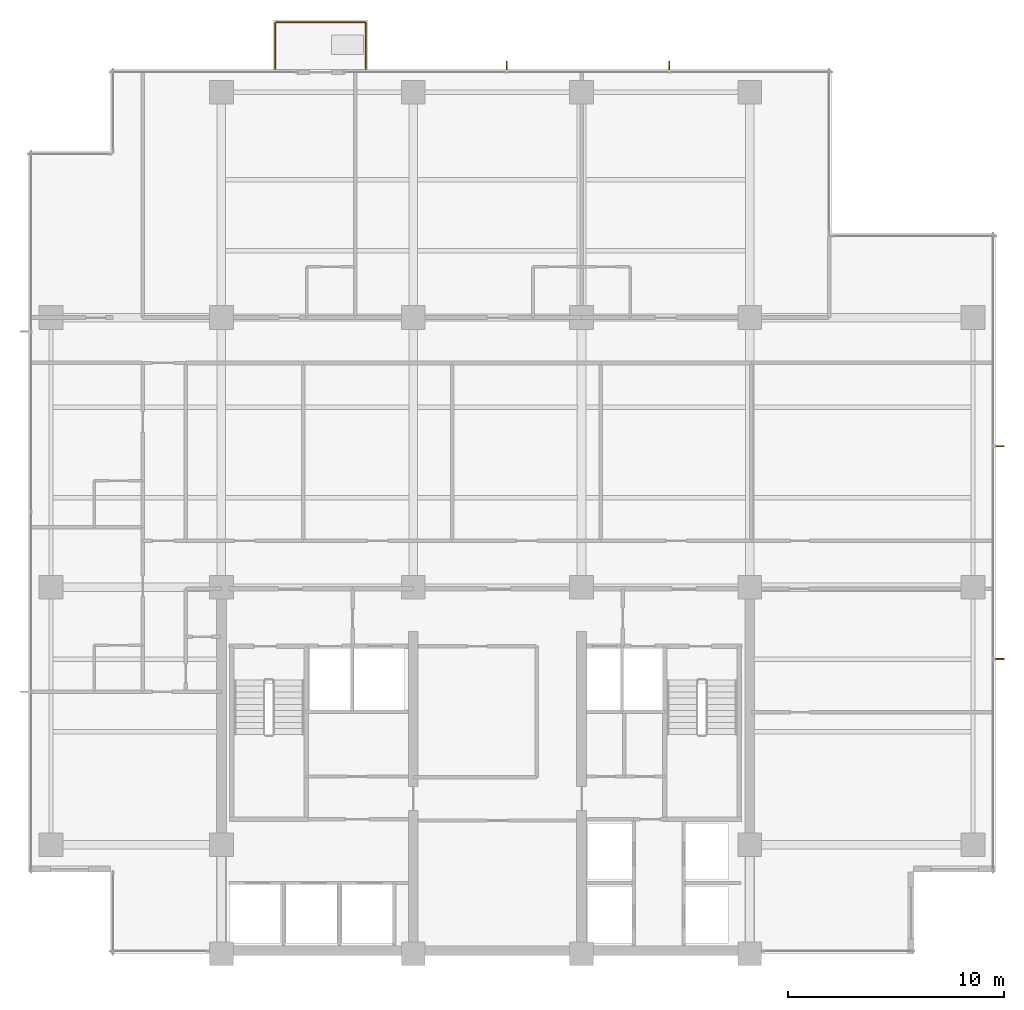
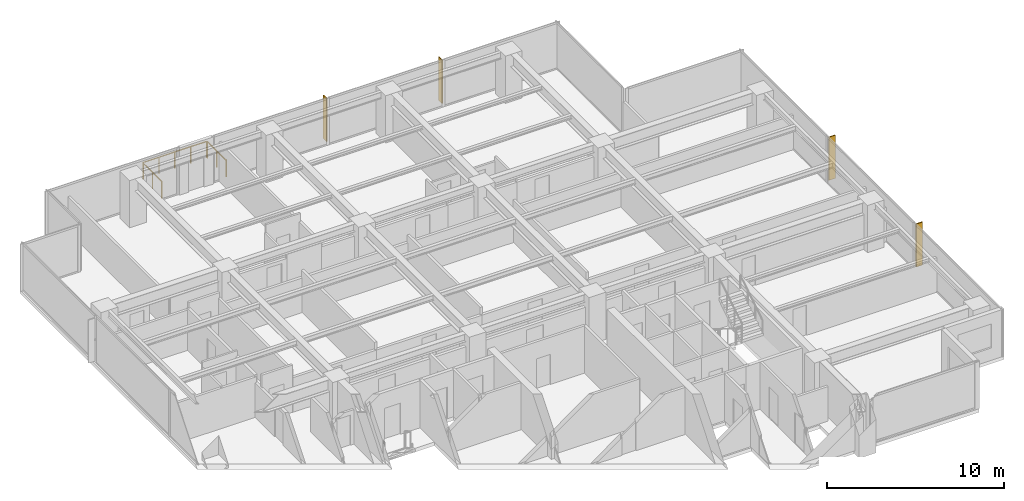
# One storey, part 14 of 14: 4 shading devices, 3 railings.
"""IFC4 building model written with IfcOpenShell, lengths in metres."""

from ifc_helpers import new_model, si_unit, direction, frame, origin, origin_2d, place, context, subcontext, project, spatial, polyline, circle, outline, extrude, material, layer, layer_set, type_object, element, save


model = new_model("IFC4")

# Units and contexts
model_context = context("Model", 3, precision=1e-05, world=origin(), true_north=direction((0.0, 1.0)))
body_context = subcontext(model_context, "Body", "Model", "MODEL_VIEW")
ifc_project = project(units=[si_unit("LENGTHUNIT", "METRE"), si_unit("AREAUNIT", "SQUARE_METRE"), si_unit("VOLUMEUNIT", "CUBIC_METRE"), si_unit("PLANEANGLEUNIT", "RADIAN"), si_unit("MASSUNIT", "GRAM", prefix="KILO")], contexts=[model_context])

# Site, building, storey
site_placement = place(None, origin())
site = spatial("IfcSite", under=ifc_project, at=site_placement, CompositionType="ELEMENT")
building_placement = place(site_placement, origin())
building = spatial("IfcBuilding", under=site, at=building_placement, Name="Qalmaran Belvedere Hotel", CompositionType="ELEMENT")
storey_placement = place(building_placement, frame((0.0, 0.0, 166.60009765625)))
storey = spatial("IfcBuildingStorey", under=building, at=storey_placement, Name="L42", CompositionType="ELEMENT", Elevation=166.60009765625)

# Shading devices
ifc_material = material(Name="Anodised Bronze Aluminium", Category="aluminium")
ifc_layer = layer(ifc_material, 0.06494140625, Name="Anodised Bronze Aluminium")
ifc_layer_set = layer_set([ifc_layer], Name="Anodised Bronze Aluminium")
shading_device_type = type_object("IfcShadingDeviceType", Name="FIN-BRNZ-420", PredefinedType="USERDEFINED", material=ifc_layer_set)
shading_device_1_placement = place(storey_placement, frame((0.0, 0.0, 0.159912109375)))
element("IfcShadingDevice", 1, at=shading_device_1_placement, inside=storey, type_object=shading_device_type, Name="L42 Bronze Fin 1", ObjectType="FIN", PredefinedType="USERDEFINED", context=body_context, shape_type="SweptSolid", body=[
    extrude(outline(polyline([(56.169921875, 17.13427734375), (56.590087890625, 17.13427734375), (56.590087890625, 17.19921875), (56.169921875, 17.19921875), (56.169921875, 17.13427734375)])), origin(), (0.0, 0.0, 1.0), 2.969970703125),
])
shading_device_2_placement = place(storey_placement, frame((0.0, 0.0, 0.159912109375)))
element("IfcShadingDevice", 2, at=shading_device_2_placement, inside=storey, type_object=shading_device_type, Name="L42 Bronze Fin 2", ObjectType="FIN", PredefinedType="USERDEFINED", context=body_context, shape_type="SweptSolid", body=[
    extrude(outline(polyline([(56.169921875, 27.000732421875), (56.590087890625, 27.000732421875), (56.590087890625, 27.06591796875), (56.169921875, 27.06591796875), (56.169921875, 27.000732421875)])), origin(), (0.0, 0.0, 1.0), 2.969970703125),
])
shading_device_3_placement = place(storey_placement, frame((0.0, 0.0, 0.159912109375)))
element("IfcShadingDevice", 3, at=shading_device_3_placement, inside=storey, type_object=shading_device_type, Name="L42 Bronze Fin 1", ObjectType="FIN", PredefinedType="USERDEFINED", context=body_context, shape_type="SweptSolid", body=[
    extrude(outline(polyline([(41.09912109375, 44.469970703125), (41.09912109375, 44.889892578125), (41.0341796875, 44.889892578125), (41.0341796875, 44.469970703125), (41.09912109375, 44.469970703125)])), origin(), (0.0, 0.0, 1.0), 2.969970703125),
])
shading_device_4_placement = place(storey_placement, frame((0.0, 0.0, 0.159912109375)))
element("IfcShadingDevice", 4, at=shading_device_4_placement, inside=storey, type_object=shading_device_type, Name="L42 Bronze Fin 2", ObjectType="FIN", PredefinedType="USERDEFINED", context=body_context, shape_type="SweptSolid", body=[
    extrude(outline(polyline([(33.56591796875, 44.469970703125), (33.56591796875, 44.889892578125), (33.500732421875, 44.889892578125), (33.500732421875, 44.469970703125), (33.56591796875, 44.469970703125)])), origin(), (0.0, 0.0, 1.0), 2.969970703125),
])

# Railings
railing_type = type_object("IfcRailingType", Name="GRD-BAL-1150", PredefinedType="BALUSTRADE", material=ifc_material)
railing_1_placement = place(storey_placement, frame((22.800048828125, 44.534912109375, 0.0)))
element("IfcRailing", 5, at=railing_1_placement, inside=storey, type_object=railing_type, Name="L42 Guardrail BAL-L42-N-1", PredefinedType="BALUSTRADE", context=body_context, shape_type="SweptSolid", body=[
    extrude(circle(Radius=0.02392578125, at=origin_2d()), frame((0.0, 0.0, 1.1259765625), z_axis=(0.0, 1.0, 0.0), x_axis=(-1.0, 0.0, 0.0)), (0.0, 0.0, 1.0), 2.130126953125),
    extrude(circle(Radius=0.02099609375, at=origin_2d()), origin(), (0.0, 0.0, 1.0), 1.101806640625),
    extrude(circle(Radius=0.02099609375, at=origin_2d()), frame((0.0, 1.06494140625, 0.0)), (0.0, 0.0, 1.0), 1.101806640625),
    extrude(circle(Radius=0.02099609375, at=origin_2d()), frame((0.0, 2.130126953125, 0.0)), (0.0, 0.0, 1.0), 1.101806640625),
])
railing_2_placement = place(storey_placement, frame((22.8349609375, 46.699951171875, 0.0)))
element("IfcRailing", 6, at=railing_2_placement, inside=storey, type_object=railing_type, Name="L42 Guardrail BAL-L42-N-2", PredefinedType="BALUSTRADE", context=body_context, shape_type="SweptSolid", body=[
    extrude(circle(Radius=0.02392578125, at=origin_2d()), frame((0.0, 0.0, 1.1259765625), z_axis=(1.0, 0.0, 0.0), x_axis=(0.0, 1.0, 0.0)), (0.0, 0.0, 1.0), 4.130126953125),
    extrude(circle(Radius=0.02099609375, at=origin_2d()), origin(), (0.0, 0.0, 1.0), 1.101806640625),
    extrude(circle(Radius=0.02099609375, at=origin_2d()), frame((1.032470703125, 0.0, 0.0)), (0.0, 0.0, 1.0), 1.101806640625),
    extrude(circle(Radius=0.02099609375, at=origin_2d()), frame((2.06494140625, 0.0, 0.0)), (0.0, 0.0, 1.0), 1.101806640625),
    extrude(circle(Radius=0.02099609375, at=origin_2d()), frame((3.09765625, 0.0, 0.0)), (0.0, 0.0, 1.0), 1.101806640625),
    extrude(circle(Radius=0.02099609375, at=origin_2d()), frame((4.130126953125, 0.0, 0.0)), (0.0, 0.0, 1.0), 1.101806640625),
])
railing_3_placement = place(storey_placement, frame((27.0, 46.6650390625, 0.0)))
element("IfcRailing", 7, at=railing_3_placement, inside=storey, type_object=railing_type, Name="L42 Guardrail BAL-L42-N-3", PredefinedType="BALUSTRADE", context=body_context, shape_type="SweptSolid", body=[
    extrude(circle(Radius=0.02392578125, at=origin_2d()), frame((0.0, 0.0, 1.1259765625), z_axis=(0.0, -1.0, 0.0), x_axis=(1.0, 0.0, 0.0)), (0.0, 0.0, 1.0), 2.130126953125),
    extrude(circle(Radius=0.02099609375, at=origin_2d()), origin(), (0.0, 0.0, 1.0), 1.101806640625),
    extrude(circle(Radius=0.02099609375, at=origin_2d()), frame((0.0, -1.06494140625, 0.0)), (0.0, 0.0, 1.0), 1.101806640625),
    extrude(circle(Radius=0.02099609375, at=origin_2d()), frame((0.0, -2.130126953125, 0.0)), (0.0, 0.0, 1.0), 1.101806640625),
])

save(model, "model.ifc")
